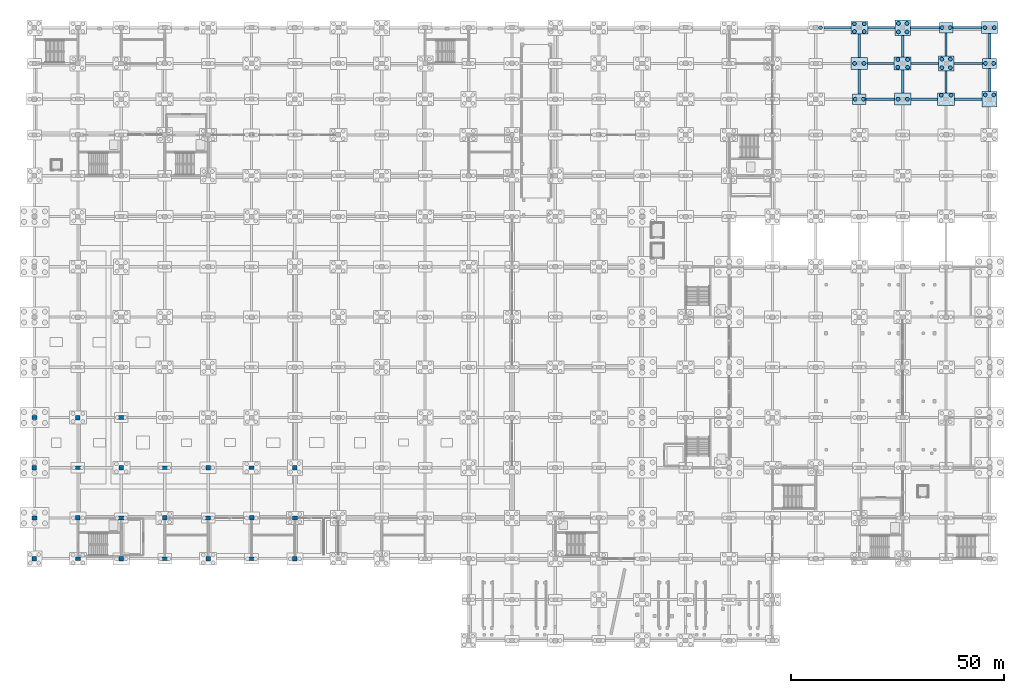
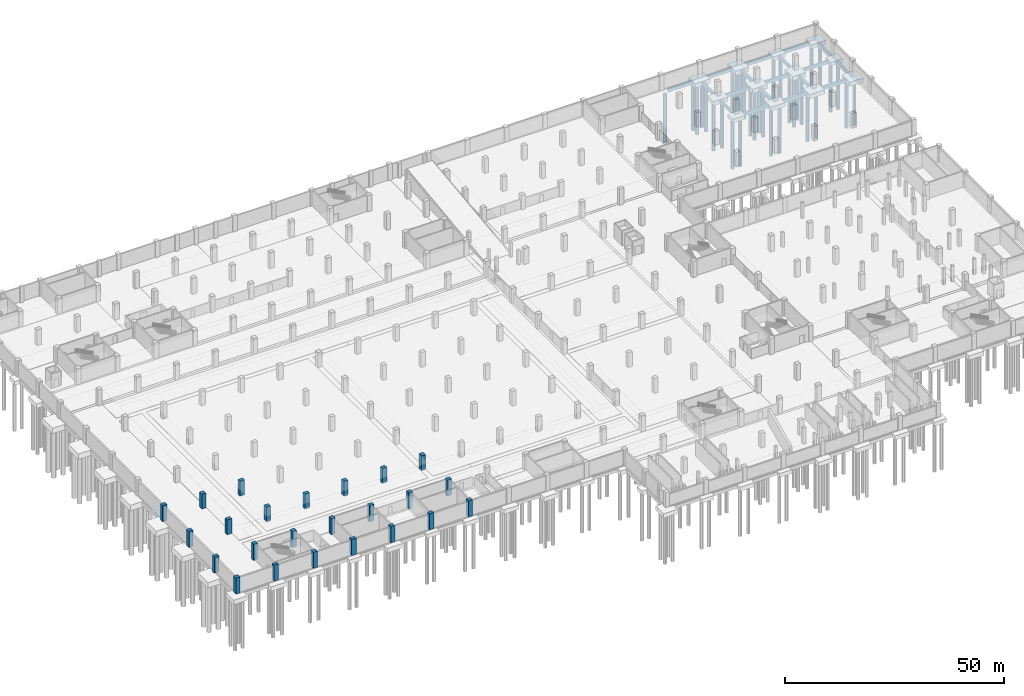
# One storey, part 21 of 52: 33 piles, 30 footings, 24 columns.
"""IFC4 building model written with IfcOpenShell, lengths in metres."""

from ifc_helpers import new_model, si_unit, direction, frame, origin, origin_2d, place, context, subcontext, project, spatial, polyline, rectangle, circle, outline, extrude, material, material_profile, profile_set, type_object, element, save


model = new_model("IFC4")

# Units and contexts
model_context = context("Model", 3, precision=1e-05, world=origin(), true_north=direction((0.0, 1.0)))
body_context = subcontext(model_context, "Body", "Model", "MODEL_VIEW")
ifc_project = project(units=[si_unit("LENGTHUNIT", "METRE"), si_unit("AREAUNIT", "SQUARE_METRE"), si_unit("VOLUMEUNIT", "CUBIC_METRE"), si_unit("PLANEANGLEUNIT", "RADIAN"), si_unit("MASSUNIT", "GRAM", prefix="KILO")], contexts=[model_context])

# Site, building, storey
site_placement = place(None, origin())
site = spatial("IfcSite", under=ifc_project, at=site_placement, CompositionType="ELEMENT")
building_placement = place(site_placement, origin())
building = spatial("IfcBuilding", under=site, at=building_placement, Name="Brelvane Convention Centre", CompositionType="ELEMENT")
storey_placement = place(building_placement, frame((0.0, 0.0, -4.5)))
storey = spatial("IfcBuildingStorey", under=building, at=storey_placement, Name="B1", CompositionType="ELEMENT", Elevation=-4.5)

# Piles
ifc_material_1 = material(Name="Concrete M40", Category="concrete")
ifc_material_profile_1 = material_profile(ifc_material_1, circle(Radius=0.449951171875, at=origin_2d()), Name="PILE D900")
ifc_profile_set_1 = profile_set([ifc_material_profile_1], Name="Concrete M40")
pile_type = type_object("IfcPileType", Name="Bored Pile PL-900", PredefinedType="BORED", material=ifc_profile_set_1)
pile_placement = place(storey_placement, frame((184.699951171875, 144.0, -1.5), z_axis=(0.0, 0.0, -1.0), x_axis=(1.0, 0.0, 0.0)))
element("IfcPile", 1, at=pile_placement, inside=storey, type_object=pile_type, Name="Bored Pile PL-900 19-Q-2", PredefinedType="BORED", context=body_context, shape_type="SweptSolid", body=[
    extrude(circle(Radius=0.449951171875, at=origin_2d()), origin(), (0.0, 0.0, 1.0), 13.5),
])
for number, where, z_axis, x_axis, name in (
    (2, (192.85009765625, 127.199951171875, -1.449951171875), (0.0, 0.0, -1.0), (1.0, 0.0, 0.0), "Bored Pile PL-900 20-N-1"),
    (3, (194.75, 127.199951171875, -1.449951171875), (0.0, 0.0, -1.0), (1.0, 0.0, 0.0), "Bored Pile PL-900 20-N-2"),
):
    element("IfcPile", number, at=place(storey_placement, frame(where, z_axis=z_axis, x_axis=x_axis)), inside=storey, type_object=pile_type, Name=name, PredefinedType="BORED", context=body_context, shape_type="SweptSolid", body=[
        extrude(circle(Radius=0.449951171875, at=origin_2d()), origin(), (0.0, 0.0, 1.0), 13.550048828125),
    ])
for number, where, z_axis, x_axis, name in (
    (4, (192.699951171875, 135.60009765625, -1.5), (0.0, 0.0, -1.0), (1.0, 0.0, 0.0), "Bored Pile PL-900 20-P-1"),
    (5, (194.89990234375, 135.60009765625, -1.5), (0.0, 0.0, -1.0), (1.0, 0.0, 0.0), "Bored Pile PL-900 20-P-2"),
):
    element("IfcPile", number, at=place(storey_placement, frame(where, z_axis=z_axis, x_axis=x_axis)), inside=storey, type_object=pile_type, Name=name, PredefinedType="BORED", context=body_context, shape_type="SweptSolid", body=[
        extrude(circle(Radius=0.449951171875, at=origin_2d()), origin(), (0.0, 0.0, 1.0), 13.5),
    ])
for number, where, z_axis, x_axis, name in (
    (6, (192.64990234375, 143.080078125, -1.550048828125), (0.0, 0.0, -1.0), (1.0, 0.0, 0.0), "Bored Pile PL-900 20-Q-1"),
    (7, (194.949951171875, 143.080078125, -1.550048828125), (0.0, 0.0, -1.0), (1.0, 0.0, 0.0), "Bored Pile PL-900 20-Q-2"),
    (8, (192.64990234375, 144.919921875, -1.550048828125), (0.0, 0.0, -1.0), (1.0, 0.0, 0.0), "Bored Pile PL-900 20-Q-3"),
    (9, (194.949951171875, 144.919921875, -1.550048828125), (0.0, 0.0, -1.0), (1.0, 0.0, 0.0), "Bored Pile PL-900 20-Q-4"),
):
    element("IfcPile", number, at=place(storey_placement, frame(where, z_axis=z_axis, x_axis=x_axis)), inside=storey, type_object=pile_type, Name=name, PredefinedType="BORED", context=body_context, shape_type="SweptSolid", body=[
        extrude(circle(Radius=0.449951171875, at=origin_2d()), origin(), (0.0, 0.0, 1.0), 13.449951171875),
    ])
for number, where, z_axis, x_axis, name in (
    (10, (202.89990234375, 127.199951171875, -1.5), (0.0, 0.0, -1.0), (1.0, 0.0, 0.0), "Bored Pile PL-900 21-N-1"),
    (11, (205.10009765625, 127.199951171875, -1.5), (0.0, 0.0, -1.0), (1.0, 0.0, 0.0), "Bored Pile PL-900 21-N-2"),
):
    element("IfcPile", number, at=place(storey_placement, frame(where, z_axis=z_axis, x_axis=x_axis)), inside=storey, type_object=pile_type, Name=name, PredefinedType="BORED", context=body_context, shape_type="SweptSolid", body=[
        extrude(circle(Radius=0.449951171875, at=origin_2d()), origin(), (0.0, 0.0, 1.0), 13.5),
    ])
for number, where, z_axis, x_axis, name in (
    (12, (202.85009765625, 134.679931640625, -1.550048828125), (0.0, 0.0, -1.0), (1.0, 0.0, 0.0), "Bored Pile PL-900 21-P-1"),
    (13, (205.14990234375, 134.679931640625, -1.550048828125), (0.0, 0.0, -1.0), (1.0, 0.0, 0.0), "Bored Pile PL-900 21-P-2"),
    (14, (202.85009765625, 136.52001953125, -1.550048828125), (0.0, 0.0, -1.0), (1.0, 0.0, 0.0), "Bored Pile PL-900 21-P-3"),
    (15, (205.14990234375, 136.52001953125, -1.550048828125), (0.0, 0.0, -1.0), (1.0, 0.0, 0.0), "Bored Pile PL-900 21-P-4"),
    (16, (203.0, 143.0, -1.550048828125), (0.0, 0.0, -1.0), (1.0, 0.0, 0.0), "Bored Pile PL-900 21-Q-1"),
    (17, (205.0, 143.0, -1.550048828125), (0.0, 0.0, -1.0), (1.0, 0.0, 0.0), "Bored Pile PL-900 21-Q-2"),
    (18, (203.0, 145.0, -1.550048828125), (0.0, 0.0, -1.0), (1.0, 0.0, 0.0), "Bored Pile PL-900 21-Q-3"),
    (19, (205.0, 145.0, -1.550048828125), (0.0, 0.0, -1.0), (1.0, 0.0, 0.0), "Bored Pile PL-900 21-Q-4"),
    (20, (213.050048828125, 128.1201171875, -1.550048828125), (0.0, 0.0, -1.0), (1.0, 0.0, 0.0), "Bored Pile PL-900 22-N-3"),
    (21, (215.35009765625, 128.1201171875, -1.550048828125), (0.0, 0.0, -1.0), (1.0, 0.0, 0.0), "Bored Pile PL-900 22-N-4"),
    (22, (213.199951171875, 134.60009765625, -1.550048828125), (0.0, 0.0, -1.0), (1.0, 0.0, 0.0), "Bored Pile PL-900 22-P-1"),
    (23, (215.199951171875, 134.60009765625, -1.550048828125), (0.0, 0.0, -1.0), (1.0, 0.0, 0.0), "Bored Pile PL-900 22-P-2"),
    (24, (213.199951171875, 136.60009765625, -1.550048828125), (0.0, 0.0, -1.0), (1.0, 0.0, 0.0), "Bored Pile PL-900 22-P-3"),
    (25, (215.199951171875, 136.60009765625, -1.550048828125), (0.0, 0.0, -1.0), (1.0, 0.0, 0.0), "Bored Pile PL-900 22-P-4"),
):
    element("IfcPile", number, at=place(storey_placement, frame(where, z_axis=z_axis, x_axis=x_axis)), inside=storey, type_object=pile_type, Name=name, PredefinedType="BORED", context=body_context, shape_type="SweptSolid", body=[
        extrude(circle(Radius=0.449951171875, at=origin_2d()), origin(), (0.0, 0.0, 1.0), 13.449951171875),
    ])
for number, where, z_axis, x_axis, name in (
    (26, (213.25, 144.0, -1.449951171875), (0.0, 0.0, -1.0), (1.0, 0.0, 0.0), "Bored Pile PL-900 22-Q-1"),
    (27, (215.14990234375, 144.0, -1.449951171875), (0.0, 0.0, -1.0), (1.0, 0.0, 0.0), "Bored Pile PL-900 22-Q-2"),
):
    element("IfcPile", number, at=place(storey_placement, frame(where, z_axis=z_axis, x_axis=x_axis)), inside=storey, type_object=pile_type, Name=name, PredefinedType="BORED", context=body_context, shape_type="SweptSolid", body=[
        extrude(circle(Radius=0.449951171875, at=origin_2d()), origin(), (0.0, 0.0, 1.0), 13.550048828125),
    ])
for number, where, z_axis, x_axis, name in (
    (28, (223.39990234375, 128.199951171875, -1.550048828125), (0.0, 0.0, -1.0), (1.0, 0.0, 0.0), "Bored Pile PL-900 23-N-3"),
    (29, (225.39990234375, 128.199951171875, -1.550048828125), (0.0, 0.0, -1.0), (1.0, 0.0, 0.0), "Bored Pile PL-900 23-N-4"),
):
    element("IfcPile", number, at=place(storey_placement, frame(where, z_axis=z_axis, x_axis=x_axis)), inside=storey, type_object=pile_type, Name=name, PredefinedType="BORED", context=body_context, shape_type="SweptSolid", body=[
        extrude(circle(Radius=0.449951171875, at=origin_2d()), origin(), (0.0, 0.0, 1.0), 13.449951171875),
    ])
for number, where, z_axis, x_axis, name in (
    (30, (223.449951171875, 135.60009765625, -1.449951171875), (0.0, 0.0, -1.0), (1.0, 0.0, 0.0), "Bored Pile PL-900 23-P-1"),
    (31, (225.35009765625, 135.60009765625, -1.449951171875), (0.0, 0.0, -1.0), (1.0, 0.0, 0.0), "Bored Pile PL-900 23-P-2"),
):
    element("IfcPile", number, at=place(storey_placement, frame(where, z_axis=z_axis, x_axis=x_axis)), inside=storey, type_object=pile_type, Name=name, PredefinedType="BORED", context=body_context, shape_type="SweptSolid", body=[
        extrude(circle(Radius=0.449951171875, at=origin_2d()), origin(), (0.0, 0.0, 1.0), 13.550048828125),
    ])
for number, where, z_axis, x_axis, name in (
    (32, (223.300048828125, 144.0, -1.5), (0.0, 0.0, -1.0), (1.0, 0.0, 0.0), "Bored Pile PL-900 23-Q-1"),
    (33, (225.5, 144.0, -1.5), (0.0, 0.0, -1.0), (1.0, 0.0, 0.0), "Bored Pile PL-900 23-Q-2"),
):
    element("IfcPile", number, at=place(storey_placement, frame(where, z_axis=z_axis, x_axis=x_axis)), inside=storey, type_object=pile_type, Name=name, PredefinedType="BORED", context=body_context, shape_type="SweptSolid", body=[
        extrude(circle(Radius=0.449951171875, at=origin_2d()), origin(), (0.0, 0.0, 1.0), 13.5),
    ])

# Footings
ifc_material_2 = material(Name="Concrete M40", Category="concrete")
ifc_material_profile_2 = material_profile(ifc_material_2, rectangle(XDim=0.60009765625, YDim=0.89990234375, at=origin_2d()), Name="RC 600x900")
ifc_profile_set_2 = profile_set([ifc_material_profile_2], Name="Concrete M40")
footing_type_1 = type_object("IfcFootingType", Name="Ground Tie Beam GB-1", PredefinedType="FOOTING_BEAM", material=ifc_profile_set_2)
footing_1_placement = place(storey_placement, frame((185.5, 144.0, -0.89990234375), z_axis=(1.0, 0.0, 0.0), x_axis=(0.0, 1.0, 0.0)))
element("IfcFooting", 34, at=footing_1_placement, inside=storey, type_object=footing_type_1, Name="Ground Tie Beam GB-1 19-20/Q", PredefinedType="FOOTING_BEAM", context=body_context, shape_type="SweptSolid", body=[
    extrude(rectangle(XDim=0.60009765625, YDim=0.89990234375, at=origin_2d()), origin(), (0.0, 0.0, 1.0), 6.300048828125),
])
footing_2_placement = place(storey_placement, frame((195.39990234375, 127.199951171875, -0.89990234375), z_axis=(1.0, 0.0, 0.0), x_axis=(0.0, 1.0, 0.0)))
element("IfcFooting", 35, at=footing_2_placement, inside=storey, type_object=footing_type_1, Name="Ground Tie Beam GB-1 20-21/N", PredefinedType="FOOTING_BEAM", context=body_context, shape_type="SweptSolid", body=[
    extrude(rectangle(XDim=0.60009765625, YDim=0.89990234375, at=origin_2d()), origin(), (0.0, 0.0, 1.0), 6.7001953125),
])
footing_3_placement = place(storey_placement, frame((195.800048828125, 144.0, -0.89990234375), z_axis=(1.0, 0.0, 0.0), x_axis=(0.0, 1.0, 0.0)))
element("IfcFooting", 36, at=footing_3_placement, inside=storey, type_object=footing_type_1, Name="Ground Tie Beam GB-1 20-21/Q", PredefinedType="FOOTING_BEAM", context=body_context, shape_type="SweptSolid", body=[
    extrude(rectangle(XDim=0.60009765625, YDim=0.89990234375, at=origin_2d()), origin(), (0.0, 0.0, 1.0), 6.39990234375),
])
footing_4_placement = place(storey_placement, frame((205.89990234375, 127.199951171875, -0.89990234375), z_axis=(1.0, 0.0, 0.0), x_axis=(0.0, 1.0, 0.0)))
element("IfcFooting", 37, at=footing_4_placement, inside=storey, type_object=footing_type_1, Name="Ground Tie Beam GB-1 21-22/N", PredefinedType="FOOTING_BEAM", context=body_context, shape_type="SweptSolid", body=[
    extrude(rectangle(XDim=0.60009765625, YDim=0.89990234375, at=origin_2d()), origin(), (0.0, 0.0, 1.0), 6.300048828125),
])
footing_5_placement = place(storey_placement, frame((204.0, 128.60009765625, -0.89990234375), z_axis=(0.0, 1.0, 0.0), x_axis=(-1.0, 0.0, 0.0)))
element("IfcFooting", 38, at=footing_5_placement, inside=storey, type_object=footing_type_1, Name="Ground Tie Beam GB-1 21/N-P", PredefinedType="FOOTING_BEAM", context=body_context, shape_type="SweptSolid", body=[
    extrude(rectangle(XDim=0.60009765625, YDim=0.89990234375, at=origin_2d()), origin(), (0.0, 0.0, 1.0), 5.5),
])
footing_6_placement = place(storey_placement, frame((204.0, 137.10009765625, -0.89990234375), z_axis=(0.0, 1.0, 0.0), x_axis=(-1.0, 0.0, 0.0)))
element("IfcFooting", 39, at=footing_6_placement, inside=storey, type_object=footing_type_1, Name="Ground Tie Beam GB-1 21/P-Q", PredefinedType="FOOTING_BEAM", context=body_context, shape_type="SweptSolid", body=[
    extrude(rectangle(XDim=0.60009765625, YDim=0.89990234375, at=origin_2d()), origin(), (0.0, 0.0, 1.0), 5.099853515625),
])
footing_7_placement = place(storey_placement, frame((205.800048828125, 144.0, -0.89990234375), z_axis=(1.0, 0.0, 0.0), x_axis=(0.0, 1.0, 0.0)))
element("IfcFooting", 40, at=footing_7_placement, inside=storey, type_object=footing_type_1, Name="Ground Tie Beam GB-1 21-22/Q", PredefinedType="FOOTING_BEAM", context=body_context, shape_type="SweptSolid", body=[
    extrude(rectangle(XDim=0.60009765625, YDim=0.89990234375, at=origin_2d()), origin(), (0.0, 0.0, 1.0), 6.800048828125),
])
footing_8_placement = place(storey_placement, frame((216.199951171875, 127.199951171875, -0.89990234375), z_axis=(1.0, 0.0, 0.0), x_axis=(0.0, 1.0, 0.0)))
element("IfcFooting", 41, at=footing_8_placement, inside=storey, type_object=footing_type_1, Name="Ground Tie Beam GB-1 22-23/N", PredefinedType="FOOTING_BEAM", context=body_context, shape_type="SweptSolid", body=[
    extrude(rectangle(XDim=0.60009765625, YDim=0.89990234375, at=origin_2d()), origin(), (0.0, 0.0, 1.0), 6.400146484375),
])
footing_9_placement = place(storey_placement, frame((215.800048828125, 144.0, -0.89990234375), z_axis=(1.0, 0.0, 0.0), x_axis=(0.0, 1.0, 0.0)))
element("IfcFooting", 42, at=footing_9_placement, inside=storey, type_object=footing_type_1, Name="Ground Tie Beam GB-1 22-23/Q", PredefinedType="FOOTING_BEAM", context=body_context, shape_type="SweptSolid", body=[
    extrude(rectangle(XDim=0.60009765625, YDim=0.89990234375, at=origin_2d()), origin(), (0.0, 0.0, 1.0), 6.699951171875),
])
footing_10_placement = place(storey_placement, frame((224.39990234375, 129.0, -0.89990234375), z_axis=(0.0, 1.0, 0.0), x_axis=(-1.0, 0.0, 0.0)))
element("IfcFooting", 43, at=footing_10_placement, inside=storey, type_object=footing_type_1, Name="Ground Tie Beam GB-1 23/N-P", PredefinedType="FOOTING_BEAM", context=body_context, shape_type="SweptSolid", body=[
    extrude(rectangle(XDim=0.60009765625, YDim=0.89990234375, at=origin_2d()), origin(), (0.0, 0.0, 1.0), 5.39990234375),
])
footing_11_placement = place(storey_placement, frame((224.39990234375, 136.800048828125, -0.89990234375), z_axis=(0.0, 1.0, 0.0), x_axis=(-1.0, 0.0, 0.0)))
element("IfcFooting", 44, at=footing_11_placement, inside=storey, type_object=footing_type_1, Name="Ground Tie Beam GB-1 23/P-Q", PredefinedType="FOOTING_BEAM", context=body_context, shape_type="SweptSolid", body=[
    extrude(rectangle(XDim=0.60009765625, YDim=0.89990234375, at=origin_2d()), origin(), (0.0, 0.0, 1.0), 5.800048828125),
])
ifc_material_3 = material(Name="Concrete M40", Category="concrete")
ifc_material_profile_3 = material_profile(ifc_material_3, rectangle(XDim=0.5, YDim=0.89990234375, at=origin_2d()), Name="RC 500x900")
ifc_profile_set_3 = profile_set([ifc_material_profile_3], Name="Concrete M40")
footing_type_2 = type_object("IfcFootingType", Name="Ground Tie Beam GB-2", PredefinedType="FOOTING_BEAM", material=ifc_profile_set_3)
footing_12_placement = place(storey_placement, frame((193.800048828125, 128.39990234375, -0.89990234375), z_axis=(0.0, 1.0, 0.0), x_axis=(-1.0, 0.0, 0.0)))
element("IfcFooting", 45, at=footing_12_placement, inside=storey, type_object=footing_type_2, Name="Ground Tie Beam GB-2 20/N-P", PredefinedType="FOOTING_BEAM", context=body_context, shape_type="SweptSolid", body=[
    extrude(rectangle(XDim=0.5, YDim=0.89990234375, at=origin_2d()), origin(), (0.0, 0.0, 1.0), 5.800048828125),
])
footing_13_placement = place(storey_placement, frame((195.699951171875, 135.60009765625, -0.89990234375), z_axis=(1.0, 0.0, 0.0), x_axis=(0.0, 1.0, 0.0)))
element("IfcFooting", 46, at=footing_13_placement, inside=storey, type_object=footing_type_2, Name="Ground Tie Beam GB-2 20-21/P", PredefinedType="FOOTING_BEAM", context=body_context, shape_type="SweptSolid", body=[
    extrude(rectangle(XDim=0.5, YDim=0.89990234375, at=origin_2d()), origin(), (0.0, 0.0, 1.0), 6.300048828125),
])
footing_14_placement = place(storey_placement, frame((193.800048828125, 137.0, -0.89990234375), z_axis=(0.0, 1.0, 0.0), x_axis=(-1.0, 0.0, 0.0)))
element("IfcFooting", 47, at=footing_14_placement, inside=storey, type_object=footing_type_2, Name="Ground Tie Beam GB-2 20/P-Q", PredefinedType="FOOTING_BEAM", context=body_context, shape_type="SweptSolid", body=[
    extrude(rectangle(XDim=0.5, YDim=0.89990234375, at=origin_2d()), origin(), (0.0, 0.0, 1.0), 5.5),
])
footing_15_placement = place(storey_placement, frame((206.0, 135.60009765625, -0.89990234375), z_axis=(1.0, 0.0, 0.0), x_axis=(0.0, 1.0, 0.0)))
element("IfcFooting", 48, at=footing_15_placement, inside=storey, type_object=footing_type_2, Name="Ground Tie Beam GB-2 21-22/P", PredefinedType="FOOTING_BEAM", context=body_context, shape_type="SweptSolid", body=[
    extrude(rectangle(XDim=0.5, YDim=0.89990234375, at=origin_2d()), origin(), (0.0, 0.0, 1.0), 6.39990234375),
])
footing_16_placement = place(storey_placement, frame((214.199951171875, 128.699951171875, -0.89990234375), z_axis=(0.0, 1.0, 0.0), x_axis=(-1.0, 0.0, 0.0)))
element("IfcFooting", 49, at=footing_16_placement, inside=storey, type_object=footing_type_2, Name="Ground Tie Beam GB-2 22/N-P", PredefinedType="FOOTING_BEAM", context=body_context, shape_type="SweptSolid", body=[
    extrude(rectangle(XDim=0.5, YDim=0.89990234375, at=origin_2d()), origin(), (0.0, 0.0, 1.0), 5.10009765625),
])
footing_17_placement = place(storey_placement, frame((216.0, 135.60009765625, -0.89990234375), z_axis=(1.0, 0.0, 0.0), x_axis=(0.0, 1.0, 0.0)))
element("IfcFooting", 50, at=footing_17_placement, inside=storey, type_object=footing_type_2, Name="Ground Tie Beam GB-2 22-23/P", PredefinedType="FOOTING_BEAM", context=body_context, shape_type="SweptSolid", body=[
    extrude(rectangle(XDim=0.5, YDim=0.89990234375, at=origin_2d()), origin(), (0.0, 0.0, 1.0), 6.800048828125),
])
footing_18_placement = place(storey_placement, frame((214.199951171875, 137.39990234375, -0.89990234375), z_axis=(0.0, 1.0, 0.0), x_axis=(-1.0, 0.0, 0.0)))
element("IfcFooting", 51, at=footing_18_placement, inside=storey, type_object=footing_type_2, Name="Ground Tie Beam GB-2 22/P-Q", PredefinedType="FOOTING_BEAM", context=body_context, shape_type="SweptSolid", body=[
    extrude(rectangle(XDim=0.5, YDim=0.89990234375, at=origin_2d()), origin(), (0.0, 0.0, 1.0), 5.400146484375),
])
ifc_material_4 = material(Name="Concrete M40", Category="concrete")
footing_type_3 = type_object("IfcFootingType", Name="Pile Cap PC-2", PredefinedType="PILE_CAP", material=ifc_material_4)
footing_19_placement = place(storey_placement, frame((0.0, 0.0, -1.550048828125)))
element("IfcFooting", 52, at=footing_19_placement, inside=storey, type_object=footing_type_3, Name="Pile Cap PC-2 at 20-N", PredefinedType="PILE_CAP", context=body_context, shape_type="SweptSolid", body=[
    extrude(outline(polyline([(192.199951171875, 126.0), (195.39990234375, 126.0), (195.39990234375, 128.39990234375), (192.199951171875, 128.39990234375), (192.199951171875, 126.0)])), origin(), (0.0, 0.0, 1.0), 1.10009765625),
])
footing_20_placement = place(storey_placement, frame((0.0, 0.0, -1.550048828125)))
element("IfcFooting", 53, at=footing_20_placement, inside=storey, type_object=footing_type_3, Name="Pile Cap PC-2 at 22-Q", PredefinedType="PILE_CAP", context=body_context, shape_type="SweptSolid", body=[
    extrude(outline(polyline([(212.60009765625, 142.800048828125), (215.800048828125, 142.800048828125), (215.800048828125, 145.199951171875), (212.60009765625, 145.199951171875), (212.60009765625, 142.800048828125)])), origin(), (0.0, 0.0, 1.0), 1.10009765625),
])
footing_21_placement = place(storey_placement, frame((0.0, 0.0, -1.550048828125)))
element("IfcFooting", 54, at=footing_21_placement, inside=storey, type_object=footing_type_3, Name="Pile Cap PC-2 at 23-P", PredefinedType="PILE_CAP", context=body_context, shape_type="SweptSolid", body=[
    extrude(outline(polyline([(222.800048828125, 134.39990234375), (226.0, 134.39990234375), (226.0, 136.800048828125), (222.800048828125, 136.800048828125), (222.800048828125, 134.39990234375)])), origin(), (0.0, 0.0, 1.0), 1.10009765625),
])
ifc_material_5 = material(Name="Concrete M40", Category="concrete")
footing_type_4 = type_object("IfcFootingType", Name="Pile Cap PC-3", PredefinedType="PILE_CAP", material=ifc_material_5)
footing_22_placement = place(storey_placement, frame((0.0, 0.0, -1.64990234375)))
element("IfcFooting", 55, at=footing_22_placement, inside=storey, type_object=footing_type_4, Name="Pile Cap PC-3 at 21-Q", PredefinedType="PILE_CAP", context=body_context, shape_type="SweptSolid", body=[
    extrude(outline(polyline([(202.199951171875, 142.199951171875), (205.800048828125, 142.199951171875), (205.800048828125, 145.800048828125), (202.199951171875, 145.800048828125), (202.199951171875, 142.199951171875)])), origin(), (0.0, 0.0, 1.0), 1.199951171875),
])
footing_23_placement = place(storey_placement, frame((0.0, 0.0, -1.64990234375)))
element("IfcFooting", 56, at=footing_23_placement, inside=storey, type_object=footing_type_4, Name="Pile Cap PC-3 at 22-P", PredefinedType="PILE_CAP", context=body_context, shape_type="SweptSolid", body=[
    extrude(outline(polyline([(212.39990234375, 133.800048828125), (216.0, 133.800048828125), (216.0, 137.39990234375), (212.39990234375, 137.39990234375), (212.39990234375, 133.800048828125)])), origin(), (0.0, 0.0, 1.0), 1.199951171875),
])
footing_24_placement = place(storey_placement, frame((0.0, 0.0, -1.64990234375)))
element("IfcFooting", 57, at=footing_24_placement, inside=storey, type_object=footing_type_4, Name="Pile Cap PC-3 at 23-N", PredefinedType="PILE_CAP", context=body_context, shape_type="SweptSolid", body=[
    extrude(outline(polyline([(222.60009765625, 125.39990234375), (226.199951171875, 125.39990234375), (226.199951171875, 129.0), (222.60009765625, 129.0), (222.60009765625, 125.39990234375)])), origin(), (0.0, 0.0, 1.0), 1.199951171875),
])
ifc_material_6 = material(Name="Concrete M40", Category="concrete")
footing_type_5 = type_object("IfcFootingType", Name="Pile Cap PC-4", PredefinedType="PILE_CAP", material=ifc_material_6)
footing_25_placement = place(storey_placement, frame((0.0, 0.0, -1.64990234375)))
element("IfcFooting", 58, at=footing_25_placement, inside=storey, type_object=footing_type_5, Name="Pile Cap PC-4 at 20-Q", PredefinedType="PILE_CAP", context=body_context, shape_type="SweptSolid", body=[
    extrude(outline(polyline([(191.800048828125, 142.5), (195.800048828125, 142.5), (195.800048828125, 145.5), (191.800048828125, 145.5), (191.800048828125, 142.5)])), origin(), (0.0, 0.0, 1.0), 1.199951171875),
])
footing_26_placement = place(storey_placement, frame((0.0, 0.0, -1.64990234375)))
element("IfcFooting", 59, at=footing_26_placement, inside=storey, type_object=footing_type_5, Name="Pile Cap PC-4 at 21-P", PredefinedType="PILE_CAP", context=body_context, shape_type="SweptSolid", body=[
    extrude(outline(polyline([(202.0, 134.10009765625), (206.0, 134.10009765625), (206.0, 137.10009765625), (202.0, 137.10009765625), (202.0, 134.10009765625)])), origin(), (0.0, 0.0, 1.0), 1.199951171875),
])
footing_27_placement = place(storey_placement, frame((0.0, 0.0, -1.64990234375)))
element("IfcFooting", 60, at=footing_27_placement, inside=storey, type_object=footing_type_5, Name="Pile Cap PC-4 at 22-N", PredefinedType="PILE_CAP", context=body_context, shape_type="SweptSolid", body=[
    extrude(outline(polyline([(212.199951171875, 125.699951171875), (216.199951171875, 125.699951171875), (216.199951171875, 128.699951171875), (212.199951171875, 128.699951171875), (212.199951171875, 125.699951171875)])), origin(), (0.0, 0.0, 1.0), 1.199951171875),
])
ifc_material_7 = material(Name="Concrete M40", Category="concrete")
footing_type_6 = type_object("IfcFootingType", Name="Pile Cap PC-9", PredefinedType="PILE_CAP", material=ifc_material_7)
footing_28_placement = place(storey_placement, frame((0.0, 0.0, -1.60009765625)))
element("IfcFooting", 61, at=footing_28_placement, inside=storey, type_object=footing_type_6, Name="Pile Cap PC-9 at 20-P", PredefinedType="PILE_CAP", context=body_context, shape_type="SweptSolid", body=[
    extrude(outline(polyline([(191.89990234375, 134.199951171875), (195.699951171875, 134.199951171875), (195.699951171875, 137.0), (191.89990234375, 137.0), (191.89990234375, 134.199951171875)])), origin(), (0.0, 0.0, 1.0), 1.150146484375),
])
footing_29_placement = place(storey_placement, frame((0.0, 0.0, -1.60009765625)))
element("IfcFooting", 62, at=footing_29_placement, inside=storey, type_object=footing_type_6, Name="Pile Cap PC-9 at 21-N", PredefinedType="PILE_CAP", context=body_context, shape_type="SweptSolid", body=[
    extrude(outline(polyline([(202.10009765625, 125.800048828125), (205.89990234375, 125.800048828125), (205.89990234375, 128.60009765625), (202.10009765625, 128.60009765625), (202.10009765625, 125.800048828125)])), origin(), (0.0, 0.0, 1.0), 1.150146484375),
])
footing_30_placement = place(storey_placement, frame((0.0, 0.0, -1.60009765625)))
element("IfcFooting", 63, at=footing_30_placement, inside=storey, type_object=footing_type_6, Name="Pile Cap PC-9 at 23-Q", PredefinedType="PILE_CAP", context=body_context, shape_type="SweptSolid", body=[
    extrude(outline(polyline([(222.5, 142.60009765625), (226.300048828125, 142.60009765625), (226.300048828125, 145.39990234375), (222.5, 145.39990234375), (222.5, 142.60009765625)])), origin(), (0.0, 0.0, 1.0), 1.150146484375),
])

# Columns
ifc_material_8 = material(Name="Concrete M50", Category="concrete")
ifc_material_profile_4 = material_profile(ifc_material_8, rectangle(XDim=1.050048828125, YDim=1.050048828125, at=origin_2d()), Name="RC 1050x1050")
ifc_profile_set_4 = profile_set([ifc_material_profile_4], Name="Concrete M50")
column_type_1 = type_object("IfcColumnType", Name="RC Column C-RC1 (RC 1050x1050)", PredefinedType="COLUMN", material=ifc_profile_set_4)
for number, where, z_axis, x_axis, name in (
    (64, (0.0, 19.199951171875, 0.0), (0.0, 0.0, 1.0), (1.0, 0.0, 0.0), "Column 1-C (B1)"),
    (65, (0.0, 40.60009765625, 0.0), (0.0, 0.0, 1.0), (1.0, 0.0, 0.0), "Column 1-E (B1)"),
    (66, (10.199951171875, 28.800048828125, 0.0), (0.0, 0.0, 1.0), (1.0, 0.0, 0.0), "Column 2-D (B1)"),
):
    element("IfcColumn", number, at=place(storey_placement, frame(where, z_axis=z_axis, x_axis=x_axis)), inside=storey, type_object=column_type_1, Name=name, PredefinedType="COLUMN", context=body_context, shape_type="SweptSolid", body=[
        extrude(rectangle(XDim=1.050048828125, YDim=1.050048828125, at=origin_2d()), origin(), (0.0, 0.0, 1.0), 4.5),
    ])
column_1_placement = place(storey_placement, frame((10.199951171875, 52.39990234375, 0.0), z_axis=(0.0, 0.0, 1.0), x_axis=(1.0, 0.0, 0.0)))
element("IfcColumn", 67, at=column_1_placement, inside=storey, type_object=column_type_1, Name="Column 2-F (B1)", PredefinedType="COLUMN", context=body_context, shape_type="SweptSolid", body=[
    extrude(rectangle(XDim=1.050048828125, YDim=1.050048828125, at=origin_2d()), origin(), (0.0, 0.0, 1.0), 4.1201171875),
])
column_2_placement = place(storey_placement, frame((20.39990234375, 19.199951171875, 0.0), z_axis=(0.0, 0.0, 1.0), x_axis=(1.0, 0.0, 0.0)))
element("IfcColumn", 68, at=column_2_placement, inside=storey, type_object=column_type_1, Name="Column 3-C (B1)", PredefinedType="COLUMN", context=body_context, shape_type="SweptSolid", body=[
    extrude(rectangle(XDim=1.050048828125, YDim=1.050048828125, at=origin_2d()), origin(), (0.0, 0.0, 1.0), 4.5),
])
column_3_placement = place(storey_placement, frame((20.39990234375, 40.60009765625, 0.0), z_axis=(0.0, 0.0, 1.0), x_axis=(1.0, 0.0, 0.0)))
element("IfcColumn", 69, at=column_3_placement, inside=storey, type_object=column_type_1, Name="Column 3-E (B1)", PredefinedType="COLUMN", context=body_context, shape_type="SweptSolid", body=[
    extrude(rectangle(XDim=1.050048828125, YDim=1.050048828125, at=origin_2d()), origin(), (0.0, 0.0, 1.0), 4.1201171875),
])
for number, where, z_axis, x_axis, name in (
    (70, (30.60009765625, 28.800048828125, 0.0), (0.0, 0.0, 1.0), (1.0, 0.0, 0.0), "Column 4-D (B1)"),
    (71, (40.800048828125, 19.199951171875, 0.0), (0.0, 0.0, 1.0), (1.0, 0.0, 0.0), "Column 5-C (B1)"),
):
    element("IfcColumn", number, at=place(storey_placement, frame(where, z_axis=z_axis, x_axis=x_axis)), inside=storey, type_object=column_type_1, Name=name, PredefinedType="COLUMN", context=body_context, shape_type="SweptSolid", body=[
        extrude(rectangle(XDim=1.050048828125, YDim=1.050048828125, at=origin_2d()), origin(), (0.0, 0.0, 1.0), 4.5),
    ])
column_4_placement = place(storey_placement, frame((40.800048828125, 40.60009765625, 0.0), z_axis=(0.0, 0.0, 1.0), x_axis=(1.0, 0.0, 0.0)))
element("IfcColumn", 72, at=column_4_placement, inside=storey, type_object=column_type_1, Name="Column 5-E (B1)", PredefinedType="COLUMN", context=body_context, shape_type="SweptSolid", body=[
    extrude(rectangle(XDim=1.050048828125, YDim=1.050048828125, at=origin_2d()), origin(), (0.0, 0.0, 1.0), 4.1201171875),
])
for number, where, z_axis, x_axis, name in (
    (73, (51.0, 28.800048828125, 0.0), (0.0, 0.0, 1.0), (1.0, 0.0, 0.0), "Column 6-D (B1)"),
    (74, (61.199951171875, 19.199951171875, 0.0), (0.0, 0.0, 1.0), (1.0, 0.0, 0.0), "Column 7-C (B1)"),
):
    element("IfcColumn", number, at=place(storey_placement, frame(where, z_axis=z_axis, x_axis=x_axis)), inside=storey, type_object=column_type_1, Name=name, PredefinedType="COLUMN", context=body_context, shape_type="SweptSolid", body=[
        extrude(rectangle(XDim=1.050048828125, YDim=1.050048828125, at=origin_2d()), origin(), (0.0, 0.0, 1.0), 4.5),
    ])
column_5_placement = place(storey_placement, frame((61.199951171875, 40.60009765625, 0.0), z_axis=(0.0, 0.0, 1.0), x_axis=(1.0, 0.0, 0.0)))
element("IfcColumn", 75, at=column_5_placement, inside=storey, type_object=column_type_1, Name="Column 7-E (B1)", PredefinedType="COLUMN", context=body_context, shape_type="SweptSolid", body=[
    extrude(rectangle(XDim=1.050048828125, YDim=1.050048828125, at=origin_2d()), origin(), (0.0, 0.0, 1.0), 4.1201171875),
])
ifc_material_9 = material(Name="Concrete M50", Category="concrete")
ifc_material_profile_5 = material_profile(ifc_material_9, rectangle(XDim=1.199951171875, YDim=0.89990234375, at=origin_2d()), Name="RC 1200x900")
ifc_profile_set_5 = profile_set([ifc_material_profile_5], Name="Concrete M50")
column_type_2 = type_object("IfcColumnType", Name="RC Column C-RC5 (RC 1200x900)", PredefinedType="COLUMN", material=ifc_profile_set_5)
for number, where, z_axis, x_axis, name in (
    (76, (0.0, 28.800048828125, 0.0), (0.0, 0.0, 1.0), (1.0, 0.0, 0.0), "Column 1-D (B1)"),
    (77, (0.0, 52.39990234375, 0.0), (0.0, 0.0, 1.0), (1.0, 0.0, 0.0), "Column 1-F (B1)"),
    (78, (10.199951171875, 19.199951171875, 0.0), (0.0, 0.0, 1.0), (1.0, 0.0, 0.0), "Column 2-C (B1)"),
):
    element("IfcColumn", number, at=place(storey_placement, frame(where, z_axis=z_axis, x_axis=x_axis)), inside=storey, type_object=column_type_2, Name=name, PredefinedType="COLUMN", context=body_context, shape_type="SweptSolid", body=[
        extrude(rectangle(XDim=1.199951171875, YDim=0.89990234375, at=origin_2d()), origin(), (0.0, 0.0, 1.0), 4.5),
    ])
column_6_placement = place(storey_placement, frame((10.199951171875, 40.60009765625, 0.0), z_axis=(0.0, 0.0, 1.0), x_axis=(1.0, 0.0, 0.0)))
element("IfcColumn", 79, at=column_6_placement, inside=storey, type_object=column_type_2, Name="Column 2-E (B1)", PredefinedType="COLUMN", context=body_context, shape_type="SweptSolid", body=[
    extrude(rectangle(XDim=1.199951171875, YDim=0.89990234375, at=origin_2d()), origin(), (0.0, 0.0, 1.0), 4.1201171875),
])
column_7_placement = place(storey_placement, frame((20.39990234375, 28.800048828125, 0.0), z_axis=(0.0, 0.0, 1.0), x_axis=(1.0, 0.0, 0.0)))
element("IfcColumn", 80, at=column_7_placement, inside=storey, type_object=column_type_2, Name="Column 3-D (B1)", PredefinedType="COLUMN", context=body_context, shape_type="SweptSolid", body=[
    extrude(rectangle(XDim=1.199951171875, YDim=0.89990234375, at=origin_2d()), origin(), (0.0, 0.0, 1.0), 4.5),
])
column_8_placement = place(storey_placement, frame((20.39990234375, 52.39990234375, 0.0), z_axis=(0.0, 0.0, 1.0), x_axis=(1.0, 0.0, 0.0)))
element("IfcColumn", 81, at=column_8_placement, inside=storey, type_object=column_type_2, Name="Column 3-F (B1)", PredefinedType="COLUMN", context=body_context, shape_type="SweptSolid", body=[
    extrude(rectangle(XDim=1.199951171875, YDim=0.89990234375, at=origin_2d()), origin(), (0.0, 0.0, 1.0), 4.1201171875),
])
column_9_placement = place(storey_placement, frame((30.60009765625, 19.199951171875, 0.0), z_axis=(0.0, 0.0, 1.0), x_axis=(1.0, 0.0, 0.0)))
element("IfcColumn", 82, at=column_9_placement, inside=storey, type_object=column_type_2, Name="Column 4-C (B1)", PredefinedType="COLUMN", context=body_context, shape_type="SweptSolid", body=[
    extrude(rectangle(XDim=1.199951171875, YDim=0.89990234375, at=origin_2d()), origin(), (0.0, 0.0, 1.0), 4.5),
])
column_10_placement = place(storey_placement, frame((30.60009765625, 40.60009765625, 0.0), z_axis=(0.0, 0.0, 1.0), x_axis=(1.0, 0.0, 0.0)))
element("IfcColumn", 83, at=column_10_placement, inside=storey, type_object=column_type_2, Name="Column 4-E (B1)", PredefinedType="COLUMN", context=body_context, shape_type="SweptSolid", body=[
    extrude(rectangle(XDim=1.199951171875, YDim=0.89990234375, at=origin_2d()), origin(), (0.0, 0.0, 1.0), 4.1201171875),
])
for number, where, z_axis, x_axis, name in (
    (84, (40.800048828125, 28.800048828125, 0.0), (0.0, 0.0, 1.0), (1.0, 0.0, 0.0), "Column 5-D (B1)"),
    (85, (51.0, 19.199951171875, 0.0), (0.0, 0.0, 1.0), (1.0, 0.0, 0.0), "Column 6-C (B1)"),
):
    element("IfcColumn", number, at=place(storey_placement, frame(where, z_axis=z_axis, x_axis=x_axis)), inside=storey, type_object=column_type_2, Name=name, PredefinedType="COLUMN", context=body_context, shape_type="SweptSolid", body=[
        extrude(rectangle(XDim=1.199951171875, YDim=0.89990234375, at=origin_2d()), origin(), (0.0, 0.0, 1.0), 4.5),
    ])
column_11_placement = place(storey_placement, frame((51.0, 40.60009765625, 0.0), z_axis=(0.0, 0.0, 1.0), x_axis=(1.0, 0.0, 0.0)))
element("IfcColumn", 86, at=column_11_placement, inside=storey, type_object=column_type_2, Name="Column 6-E (B1)", PredefinedType="COLUMN", context=body_context, shape_type="SweptSolid", body=[
    extrude(rectangle(XDim=1.199951171875, YDim=0.89990234375, at=origin_2d()), origin(), (0.0, 0.0, 1.0), 4.1201171875),
])
column_12_placement = place(storey_placement, frame((61.199951171875, 28.800048828125, 0.0), z_axis=(0.0, 0.0, 1.0), x_axis=(1.0, 0.0, 0.0)))
element("IfcColumn", 87, at=column_12_placement, inside=storey, type_object=column_type_2, Name="Column 7-D (B1)", PredefinedType="COLUMN", context=body_context, shape_type="SweptSolid", body=[
    extrude(rectangle(XDim=1.199951171875, YDim=0.89990234375, at=origin_2d()), origin(), (0.0, 0.0, 1.0), 4.5),
])

save(model, "model.ifc")
